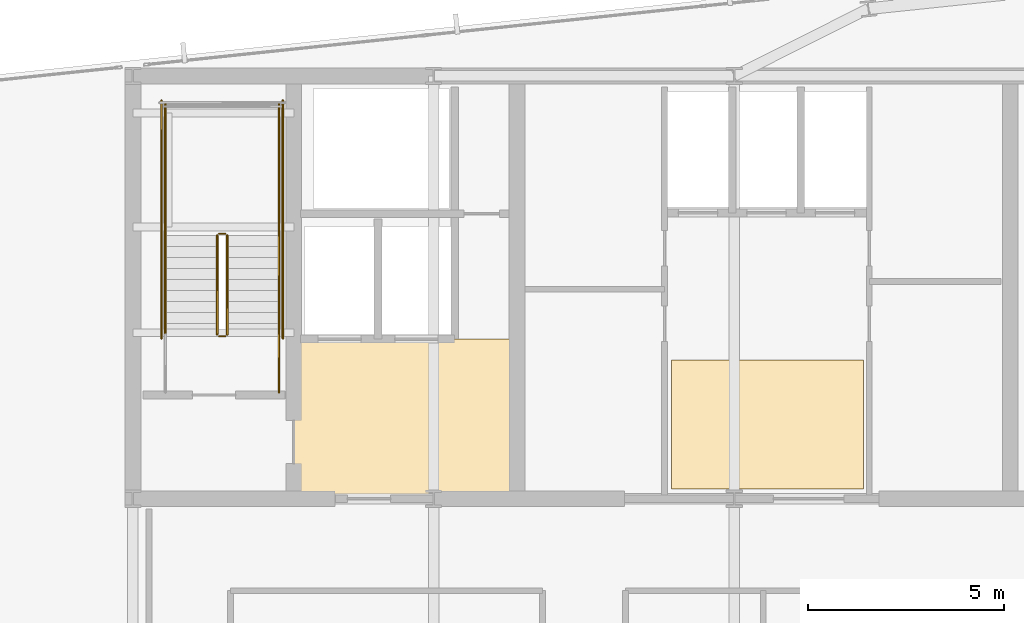
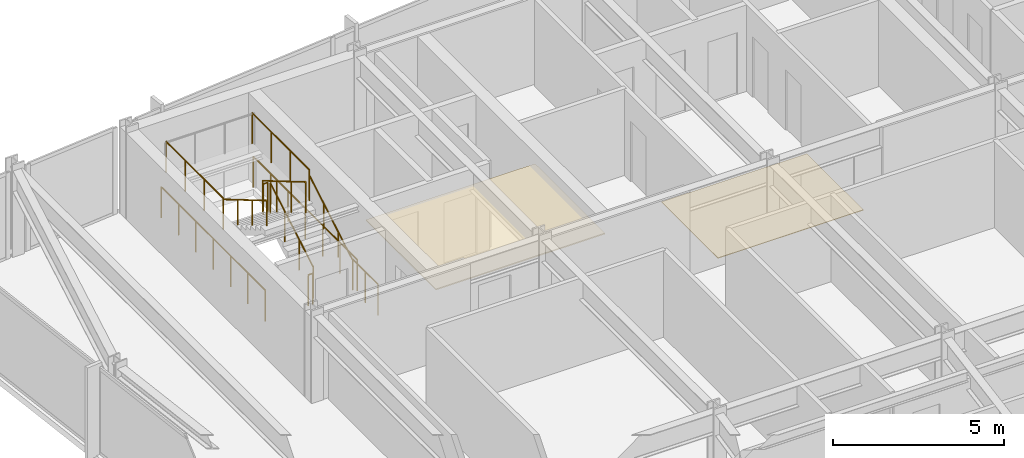
# One storey, part 31 of 33: 11 railings, 2 coverings.
"""IFC4 building model written with IfcOpenShell, lengths in metres."""

from ifc_helpers import new_model, si_unit, direction, frame, origin, origin_2d, place, context, subcontext, project, spatial, polyline, circle, outline, extrude, material, layer, layer_set, type_object, element, save


model = new_model("IFC4")

# Units and contexts
model_context = context("Model", 3, precision=1e-05, world=origin(), true_north=direction((0.0, 1.0)))
body_context = subcontext(model_context, "Body", "Model", "MODEL_VIEW")
ifc_project = project(units=[si_unit("LENGTHUNIT", "METRE"), si_unit("AREAUNIT", "SQUARE_METRE"), si_unit("VOLUMEUNIT", "CUBIC_METRE"), si_unit("PLANEANGLEUNIT", "RADIAN"), si_unit("MASSUNIT", "GRAM", prefix="KILO")], contexts=[model_context])

# Site, building, storey
site_placement = place(None, origin())
site = spatial("IfcSite", under=ifc_project, at=site_placement, CompositionType="ELEMENT")
building_placement = place(site_placement, origin())
building = spatial("IfcBuilding", under=site, at=building_placement, Name="Yelkora Congress Tower", CompositionType="ELEMENT")
storey_placement = place(building_placement, frame((0.0, 0.0, 227.60009765625)))
storey = spatial("IfcBuildingStorey", under=building, at=storey_placement, Name="L63", CompositionType="ELEMENT", Elevation=227.60009765625)

# Coverings
ifc_material_1 = material(Name="Perforated mineral-fibre acoustic ceiling", Category="gypsum")
ifc_layer_1 = layer(ifc_material_1, 0.0400390625)
ifc_layer_set_1 = layer_set([ifc_layer_1], Name="Perforated mineral-fibre acoustic ceiling")
covering_type_1 = type_object("IfcCoveringType", Name="COV-CEIL-ACOUSTIC-40", PredefinedType="CEILING", material=ifc_layer_set_1)
covering_1_placement = place(storey_placement, frame((0.0, 0.0, 2.39990234375)))
element("IfcCovering", 1, at=covering_1_placement, inside=storey, type_object=covering_type_1, Name="L63 Firefighting Lobby Acoustic Ceiling", PredefinedType="CEILING", context=body_context, shape_type="SweptSolid", body=[
    extrude(outline(polyline([(27.14990234375, 35.39990234375), (32.85009765625, 35.39990234375), (32.85009765625, 39.47998046875), (27.14990234375, 39.47998046875), (27.14990234375, 35.39990234375)])), origin(), (0.0, 0.0, 1.0), 0.0400390625),
])
ifc_material_2 = material(Name="Polished Anatolian grey granite tile", Category="masonry")
ifc_layer_2 = layer(ifc_material_2, 0.02001953125)
ifc_layer_set_2 = layer_set([ifc_layer_2], Name="Polished Anatolian grey granite tile")
covering_type_2 = type_object("IfcCoveringType", Name="COV-FLOOR-GRANITE-20", PredefinedType="FLOORING", material=ifc_layer_set_2)
covering_2_placement = place(storey_placement, origin())
element("IfcCovering", 2, at=covering_2_placement, inside=storey, type_object=covering_type_2, Name="L63 Lift Lobby Granite Flooring", PredefinedType="FLOORING", context=body_context, shape_type="SweptSolid", body=[
    extrude(outline(polyline([(36.800048828125, 35.64990234375), (41.699951171875, 35.64990234375), (41.699951171875, 38.949951171875), (36.800048828125, 38.949951171875), (36.800048828125, 35.64990234375)])), origin(), (0.0, 0.0, 1.0), 0.02001953125),
])

# Railings
ifc_material_3 = material(Name="Painted galvanised steel stair well guard with vertical infill", Category="steel")
ifc_layer_3 = layer(ifc_material_3, 0.06005859375)
ifc_layer_set_3 = layer_set([ifc_layer_3], Name="Painted galvanised steel stair well guard with vertical infill")
railing_type_1 = type_object("IfcRailingType", Name="RAIL-STAIR-GUARD-1120", PredefinedType="GUARDRAIL", material=ifc_layer_set_3)
railing_1_placement = place(storey_placement, frame((25.449951171875, 39.60009765625, 0.164794921875)))
element("IfcRailing", 3, at=railing_1_placement, inside=storey, type_object=railing_type_1, Name="ST-01 L63 Stair Well Guardrail 1", PredefinedType="GUARDRAIL", context=body_context, shape_type="SweptSolid", body=[
    extrude(circle(Radius=0.02392578125, at=origin_2d()), frame((0.0, 0.0, 1.09619140625), z_axis=(0.0, 0.86152411907, 0.507716645641), x_axis=(-1.0, 0.0, 0.0)), (0.0, 0.0, 1.0), 2.925048828125),
    extrude(circle(Radius=0.02099609375, at=origin_2d()), origin(), (0.0, 0.0, 1.0), 1.072021484375),
    extrude(circle(Radius=0.02099609375, at=origin_2d()), frame((0.0, 0.840087890625, 0.4951171875)), (0.0, 0.0, 1.0), 1.072021484375),
    extrude(circle(Radius=0.02099609375, at=origin_2d()), frame((0.0, 1.679931640625, 0.989990234375)), (0.0, 0.0, 1.0), 1.072021484375),
    extrude(circle(Radius=0.02099609375, at=origin_2d()), frame((0.0, 2.52001953125, 1.485107421875)), (0.0, 0.0, 1.0), 1.072021484375),
])
railing_2_placement = place(storey_placement, frame((25.39990234375, 42.169921875, 1.64990234375)))
element("IfcRailing", 4, at=railing_2_placement, inside=storey, type_object=railing_type_1, Name="ST-01 L63 Stair Well Guardrail 2", PredefinedType="GUARDRAIL", context=body_context, shape_type="SweptSolid", body=[
    extrude(circle(Radius=0.02392578125, at=origin_2d()), frame((0.0, 0.0, 1.09619140625), z_axis=(-1.0, 0.0, 0.0), x_axis=(0.0, -1.0, 0.0)), (0.0, 0.0, 1.0), 0.159912109375),
    extrude(circle(Radius=0.02099609375, at=origin_2d()), origin(), (0.0, 0.0, 1.0), 1.072021484375),
    extrude(circle(Radius=0.02099609375, at=origin_2d()), frame((-0.159912109375, 0.0, 0.0)), (0.0, 0.0, 1.0), 1.072021484375),
])
for number, where, name in (
    (5, (26.77001953125, 42.1201171875, 1.64990234375), "ST-01 L63 Stair Well Guardrail 3"),
    (6, (23.8701171875, 42.1201171875, 1.64990234375), "ST-01 L63 Stair Well Guardrail 4"),
):
    element("IfcRailing", number, at=place(storey_placement, frame(where)), inside=storey, type_object=railing_type_1, Name=name, PredefinedType="GUARDRAIL", context=body_context, shape_type="SweptSolid", body=[
        extrude(circle(Radius=0.02392578125, at=origin_2d()), frame((0.0, 0.0, 1.09619140625), z_axis=(0.0, 1.0, 0.0), x_axis=(-1.0, 0.0, 0.0)), (0.0, 0.0, 1.0), 3.349853515625),
        extrude(circle(Radius=0.02099609375, at=origin_2d()), origin(), (0.0, 0.0, 1.0), 1.072021484375),
        extrude(circle(Radius=0.02099609375, at=origin_2d()), frame((0.0, 1.11669921875, 0.0)), (0.0, 0.0, 1.0), 1.072021484375),
        extrude(circle(Radius=0.02099609375, at=origin_2d()), frame((0.0, 2.233154296875, 0.0)), (0.0, 0.0, 1.0), 1.072021484375),
        extrude(circle(Radius=0.02099609375, at=origin_2d()), frame((0.0, 3.349853515625, 0.0)), (0.0, 0.0, 1.0), 1.072021484375),
    ])
railing_3_placement = place(storey_placement, frame((25.18994140625, 42.1201171875, 1.81494140625)))
element("IfcRailing", 7, at=railing_3_placement, inside=storey, type_object=railing_type_1, Name="ST-01 L63 Stair Well Guardrail 6", PredefinedType="GUARDRAIL", context=body_context, shape_type="SweptSolid", body=[
    extrude(circle(Radius=0.02392578125, at=origin_2d()), frame((0.0, 0.0, 1.09619140625), z_axis=(0.0, -0.861560626758, 0.507654692109), x_axis=(1.0, 0.0, 0.0)), (0.0, 0.0, 1.0), 2.925048828125),
    extrude(circle(Radius=0.02099609375, at=origin_2d()), origin(), (0.0, 0.0, 1.0), 1.072021484375),
    extrude(circle(Radius=0.02099609375, at=origin_2d()), frame((0.0, -0.840087890625, 0.494873046875)), (0.0, 0.0, 1.0), 1.072021484375),
    extrude(circle(Radius=0.02099609375, at=origin_2d()), frame((0.0, -1.679931640625, 0.989990234375)), (0.0, 0.0, 1.0), 1.072021484375),
    extrude(circle(Radius=0.02099609375, at=origin_2d()), frame((0.0, -2.52001953125, 1.48486328125)), (0.0, 0.0, 1.0), 1.072021484375),
])
railing_4_placement = place(storey_placement, frame((25.39990234375, 39.550048828125, 0.0)))
element("IfcRailing", 8, at=railing_4_placement, inside=storey, type_object=railing_type_1, Name="ST-01 L63 Stair Well Guardrail 7", PredefinedType="GUARDRAIL", context=body_context, shape_type="SweptSolid", body=[
    extrude(circle(Radius=0.02392578125, at=origin_2d()), frame((0.0, 0.0, 1.09619140625), z_axis=(-1.0, 0.0, 0.0), x_axis=(0.0, -1.0, 0.0)), (0.0, 0.0, 1.0), 0.159912109375),
    extrude(circle(Radius=0.02099609375, at=origin_2d()), origin(), (0.0, 0.0, 1.0), 1.072021484375),
    extrude(circle(Radius=0.02099609375, at=origin_2d()), frame((-0.159912109375, 0.0, 0.0)), (0.0, 0.0, 1.0), 1.072021484375),
])
railing_5_placement = place(storey_placement, frame((26.77001953125, 38.1201171875, 0.0)))
element("IfcRailing", 9, at=railing_5_placement, inside=storey, type_object=railing_type_1, Name="ST-01 L63 Stair Well Guardrail 8", PredefinedType="GUARDRAIL", context=body_context, shape_type="SweptSolid", body=[
    extrude(circle(Radius=0.02392578125, at=origin_2d()), frame((0.0, 0.0, 1.09619140625), z_axis=(0.0, 1.0, 0.0), x_axis=(-1.0, 0.0, 0.0)), (0.0, 0.0, 1.0), 1.47998046875),
    extrude(circle(Radius=0.02099609375, at=origin_2d()), origin(), (0.0, 0.0, 1.0), 1.072021484375),
    extrude(circle(Radius=0.02099609375, at=origin_2d()), frame((0.0, 0.739990234375, 0.0)), (0.0, 0.0, 1.0), 1.072021484375),
    extrude(circle(Radius=0.02099609375, at=origin_2d()), frame((0.0, 1.47998046875, 0.0)), (0.0, 0.0, 1.0), 1.072021484375),
])
for number, where, name in (
    (10, (26.8701171875, 39.5, 0.0), "ST-01 L63 Stair Well Guardrail 10"),
    (11, (23.77001953125, 39.5, 0.0), "ST-01 L63 Stair Well Guardrail 11"),
):
    element("IfcRailing", number, at=place(storey_placement, frame(where)), inside=storey, type_object=railing_type_1, Name=name, PredefinedType="GUARDRAIL", context=body_context, shape_type="SweptSolid", body=[
        extrude(circle(Radius=0.02392578125, at=origin_2d()), frame((0.0, 0.0, 1.09619140625), z_axis=(0.0, 1.0, 0.0), x_axis=(-1.0, 0.0, 0.0)), (0.0, 0.0, 1.0), 6.070068359375),
        extrude(circle(Radius=0.02099609375, at=origin_2d()), origin(), (0.0, 0.0, 1.0), 1.072021484375),
        extrude(circle(Radius=0.02099609375, at=origin_2d()), frame((0.0, 1.01171875, 0.0)), (0.0, 0.0, 1.0), 1.072021484375),
        extrude(circle(Radius=0.02099609375, at=origin_2d()), frame((0.0, 2.0234375, 0.0)), (0.0, 0.0, 1.0), 1.072021484375),
        extrude(circle(Radius=0.02099609375, at=origin_2d()), frame((0.0, 3.03515625, 0.0)), (0.0, 0.0, 1.0), 1.072021484375),
        extrude(circle(Radius=0.02099609375, at=origin_2d()), frame((0.0, 4.046630859375, 0.0)), (0.0, 0.0, 1.0), 1.072021484375),
        extrude(circle(Radius=0.02099609375, at=origin_2d()), frame((0.0, 5.058349609375, 0.0)), (0.0, 0.0, 1.0), 1.072021484375),
        extrude(circle(Radius=0.02099609375, at=origin_2d()), frame((0.0, 6.070068359375, 0.0)), (0.0, 0.0, 1.0), 1.072021484375),
    ])
ifc_material_4 = material(Name="Brushed stainless steel tubular handrail", Category="steel")
ifc_layer_4 = layer(ifc_material_4, 0.050048828125)
ifc_layer_set_4 = layer_set([ifc_layer_4], Name="Brushed stainless steel tubular handrail")
railing_type_2 = type_object("IfcRailingType", Name="RAIL-STAIR-HAND-920", PredefinedType="HANDRAIL", material=ifc_layer_set_4)
railing_6_placement = place(storey_placement, frame((26.77001953125, 39.60009765625, 0.164794921875)))
element("IfcRailing", 12, at=railing_6_placement, inside=storey, type_object=railing_type_2, Name="ST-01 L63 Pitch Handrail 1", PredefinedType="HANDRAIL", context=body_context, shape_type="SweptSolid", body=[
    extrude(circle(Radius=0.02392578125, at=origin_2d()), frame((0.0, 0.0, 0.89599609375), z_axis=(0.0, 0.86152411907, 0.507716645641), x_axis=(-1.0, 0.0, 0.0)), (0.0, 0.0, 1.0), 2.925048828125),
    extrude(circle(Radius=0.02099609375, at=origin_2d()), origin(), (0.0, 0.0, 1.0), 0.871826171875),
    extrude(circle(Radius=0.02099609375, at=origin_2d()), frame((0.0, 0.840087890625, 0.4951171875)), (0.0, 0.0, 1.0), 0.871826171875),
    extrude(circle(Radius=0.02099609375, at=origin_2d()), frame((0.0, 1.679931640625, 0.989990234375)), (0.0, 0.0, 1.0), 0.871826171875),
    extrude(circle(Radius=0.02099609375, at=origin_2d()), frame((0.0, 2.52001953125, 1.485107421875)), (0.0, 0.0, 1.0), 0.871826171875),
])
railing_7_placement = place(storey_placement, frame((23.8701171875, 42.1201171875, 1.81494140625)))
element("IfcRailing", 13, at=railing_7_placement, inside=storey, type_object=railing_type_2, Name="ST-01 L63 Pitch Handrail 2", PredefinedType="HANDRAIL", context=body_context, shape_type="SweptSolid", body=[
    extrude(circle(Radius=0.02392578125, at=origin_2d()), frame((0.0, 0.0, 0.89599609375), z_axis=(0.0, -0.861560626758, 0.507654692109), x_axis=(1.0, 0.0, 0.0)), (0.0, 0.0, 1.0), 2.925048828125),
    extrude(circle(Radius=0.02099609375, at=origin_2d()), origin(), (0.0, 0.0, 1.0), 0.871826171875),
    extrude(circle(Radius=0.02099609375, at=origin_2d()), frame((0.0, -0.840087890625, 0.494873046875)), (0.0, 0.0, 1.0), 0.871826171875),
    extrude(circle(Radius=0.02099609375, at=origin_2d()), frame((0.0, -1.679931640625, 0.989990234375)), (0.0, 0.0, 1.0), 0.871826171875),
    extrude(circle(Radius=0.02099609375, at=origin_2d()), frame((0.0, -2.52001953125, 1.48486328125)), (0.0, 0.0, 1.0), 0.871826171875),
])

save(model, "model.ifc")
